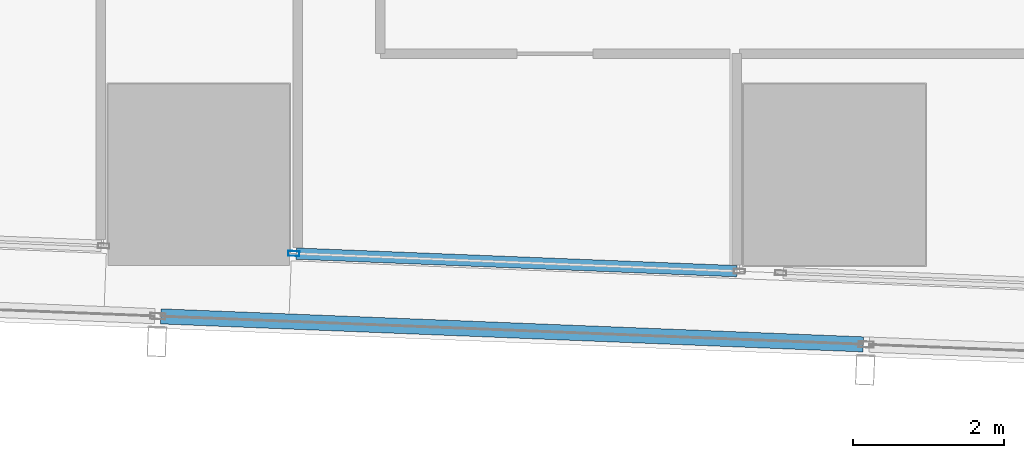
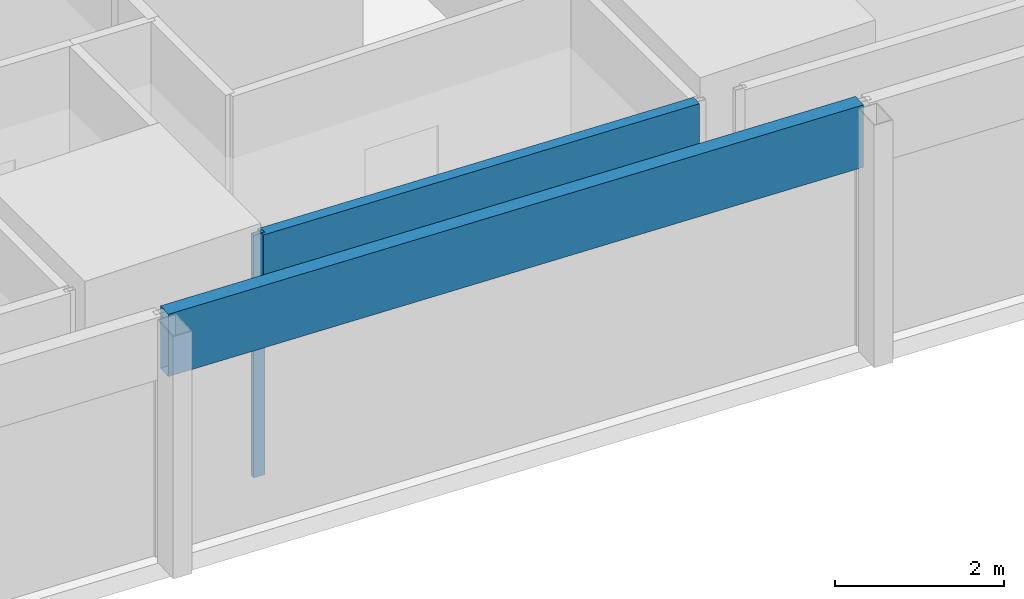
# One storey, part 3 of 37: 3 members, 2 elements without a shape of their own.
"""IFC4 building model written with IfcOpenShell, lengths in metres."""

import ifcopenshell
import ifcopenshell.guid

model = None  # the IFC model being written
_history = None  # IfcOwnerHistory: only IFC2X3 demands one
_inside = {}  # id of a spatial element -> (the spatial element, [elements in it])
_under = {}  # id of a project, library or spatial element -> (it, [spatial elements below it])
_declared = {}  # id of a project -> (the project, [libraries it declares])
_typed = {}  # id of a type object -> (the type object, [elements of that type])
_made_of = {}  # id of a material, layer set ... -> (it, [elements and type objects made of it])


def new_model(schema):
    """Start an empty IFC model of exactly this schema.

    Asked for "IFC4X3", IfcOpenShell would pick the latest addendum, in which some entities
    have other attributes; the version numbers below select the first issue.
    IFC2X3 requires an IfcOwnerHistory on every rooted entity: one is made here for all.
    """
    global model, _history
    if schema == "IFC4X3":
        model = ifcopenshell.file(schema_version=(4, 3, 0, 0))
    else:
        model = ifcopenshell.file(schema=schema)
    _inside.clear()
    _under.clear()
    _declared.clear()
    _typed.clear()
    _made_of.clear()
    _history = None
    if model.schema == "IFC2X3":
        org = make("IfcOrganization", Name="unknown")
        user = make(
            "IfcPersonAndOrganization",
            ThePerson=make("IfcPerson", FamilyName="unknown"),
            TheOrganization=org,
        )
        app = make(
            "IfcApplication",
            ApplicationDeveloper=org,
            Version="unknown",
            ApplicationFullName="unknown",
            ApplicationIdentifier="unknown",
        )
        _history = make(
            "IfcOwnerHistory",
            OwningUser=user,
            OwningApplication=app,
            ChangeAction="ADDED",
            CreationDate=0,
        )
    return model


def make(cls, **values):
    """One entity of the class cls with the attributes given. An attribute that is None is left unset."""
    return model.create_entity(
        cls, **{name: value for name, value in values.items() if value is not None}
    )


def rooted(cls, **values):
    """An entity with a GlobalId (a new one), such as an element, a storey or a relation."""
    return make(cls, GlobalId=ifcopenshell.guid.new(), OwnerHistory=_history, **values)


def si_unit(unit_type, name, prefix=None):
    """IfcSIUnit, for example si_unit("LENGTHUNIT", "METRE", prefix="MILLI")."""
    return make("IfcSIUnit", UnitType=unit_type, Prefix=prefix, Name=name)


def assignment(units):
    """IfcUnitAssignment: the units of a project."""
    return None if units is None else make("IfcUnitAssignment", Units=units)


def point(xyz):
    """IfcCartesianPoint."""
    return None if xyz is None else make("IfcCartesianPoint", Coordinates=xyz)


def direction(xyz):
    """IfcDirection."""
    return None if xyz is None else make("IfcDirection", DirectionRatios=xyz)


def frame(location, z_axis=None, x_axis=None):
    """IfcAxis2Placement3D, a coordinate frame: its origin and axes. An axis left out is left unset."""
    return make(
        "IfcAxis2Placement3D",
        Location=point(location),
        Axis=direction(z_axis),
        RefDirection=direction(x_axis),
    )


def frame_2d(location, x_axis=None):
    """IfcAxis2Placement2D, a coordinate frame in the plane: its origin and x axis."""
    return make(
        "IfcAxis2Placement2D", Location=point(location), RefDirection=direction(x_axis)
    )


def origin():
    """The frame at (0, 0, 0) with its axes left unset."""
    return frame((0.0, 0.0, 0.0))


def origin_2d():
    """The frame at (0, 0) in the plane with its x axis left unset."""
    return frame_2d((0.0, 0.0))


def place(relative_to, where):
    """IfcLocalPlacement: puts the frame where relative to a parent placement (None: the world)."""
    return make(
        "IfcLocalPlacement", PlacementRelTo=relative_to, RelativePlacement=where
    )


def context(
    kind, dimensions, precision=None, world=None, true_north=None, identifier=None
):
    """IfcGeometricRepresentationContext, for example the 3D "Model" context."""
    return make(
        "IfcGeometricRepresentationContext",
        ContextIdentifier=identifier,
        ContextType=kind,
        CoordinateSpaceDimension=dimensions,
        Precision=precision,
        WorldCoordinateSystem=world,
        TrueNorth=true_north,
    )


def subcontext(parent, identifier, kind, view, scale=None):
    """IfcGeometricRepresentationSubContext, for example "Body" below "Model"."""
    return make(
        "IfcGeometricRepresentationSubContext",
        ContextIdentifier=identifier,
        ContextType=kind,
        ParentContext=parent,
        TargetScale=scale,
        TargetView=view,
    )


def project(units=None, contexts=None):
    """IfcProject with its units and contexts."""
    return rooted(
        "IfcProject",
        Name="project",
        RepresentationContexts=contexts,
        UnitsInContext=assignment(units),
    )


def spatial(cls, under=None, at=None, **own):
    """A site, building, storey or space (cls), placed at a placement, below another one or the project."""
    s = rooted(cls, ObjectPlacement=at, **own)
    if under is not None:
        _under.setdefault(under.id(), (under, []))[1].append(s)
    return s


def profile(cls, at=None, kind="AREA", **sizes):
    """A parametric profile (cls). Its sizes go by their IFC names, for example OverallWidth=200.0."""
    return make(cls, ProfileType=kind, Position=at, **sizes)


def hollow_rectangle(**sizes):
    """IfcRectangleHollowProfileDef."""
    return profile("IfcRectangleHollowProfileDef", **sizes)


def extrude(swept, where, along, depth):
    """IfcExtrudedAreaSolid: the profile swept, set in the frame where, extruded along a direction by depth."""
    return make(
        "IfcExtrudedAreaSolid",
        SweptArea=swept,
        Position=where,
        ExtrudedDirection=direction(along),
        Depth=depth,
    )


def shape(context_of_items, identifier, shape_type, items):
    """IfcShapeRepresentation: the items that make up one representation, for example the "Body"."""
    return make(
        "IfcShapeRepresentation",
        ContextOfItems=context_of_items,
        RepresentationIdentifier=identifier,
        RepresentationType=shape_type,
        Items=items,
    )


def material(Name=None, Category=None):
    """IfcMaterial."""
    return make("IfcMaterial", Name=Name, Category=Category)


def material_profile(
    of_material, cross_section, Name=None, Category=None, Priority=None
):
    """IfcMaterialProfile: a cross section and its material."""
    return make(
        "IfcMaterialProfile",
        Name=Name,
        Material=of_material,
        Profile=cross_section,
        Priority=Priority,
        Category=Category,
    )


def profile_set(profiles, Name=None, composite=None):
    """IfcMaterialProfileSet."""
    return make(
        "IfcMaterialProfileSet",
        Name=Name,
        MaterialProfiles=profiles,
        CompositeProfile=composite,
    )


def made_of(thing, what):
    """Note that an element or type object is made of a material, layer set ...; save() writes the relation."""
    if what is not None:
        _made_of.setdefault(what.id(), (what, []))[1].append(thing)
    return thing


def type_object(cls, material=None, **own):
    """A type object (cls), such as IfcWallType, which elements share."""
    return made_of(rooted(cls, **own), material)


def element(
    cls,
    number,
    at=None,
    inside=None,
    cuts=None,
    type_object=None,
    material=None,
    context=None,
    identifier="Body",
    shape_type=None,
    held_by="IfcProductDefinitionShape",
    body=None,
    shapes=None,
    **own,
):
    """One element of the class cls, such as IfcWall. Its Tag is "e" and its number.

    at: its placement. inside: the storey or other place that contains it. cuts: it is an
    opening in that element (IfcRelVoidsElement). A single representation is given by context,
    identifier, shape_type and body (its items); several are given by shapes. held_by: the class
    of the entity that holds the representations. save() writes the other relations.
    """
    e = rooted(cls, Tag="e%d" % number, ObjectPlacement=at, **own)
    if body is not None:
        shapes = [shape(context, identifier, shape_type, body)]
    if shapes is not None:
        e.Representation = make(held_by, Representations=shapes)
    if inside is not None:
        _inside.setdefault(inside.id(), (inside, []))[1].append(e)
    if cuts is not None:
        rooted(
            "IfcRelVoidsElement", RelatingBuildingElement=cuts, RelatedOpeningElement=e
        )
    if type_object is not None:
        _typed.setdefault(type_object.id(), (type_object, []))[1].append(e)
    return made_of(e, material)


def aggregate(whole, parts):
    """IfcRelAggregates: a whole, such as a stair, and the parts it consists of."""
    return rooted("IfcRelAggregates", RelatingObject=whole, RelatedObjects=parts)


def save(model, path):
    """Write the relations noted so far, then the file.

    IfcRelAggregates (storeys below a building ...), IfcRelContainedInSpatialStructure (elements
    in a storey), IfcRelDefinesByType, IfcRelAssociatesMaterial and IfcRelDeclares: one each for
    every whole, place, type object, material and project.
    """
    for whole, parts in _under.values():
        aggregate(whole, parts)
    for where, things in _inside.values():
        rooted(
            "IfcRelContainedInSpatialStructure",
            RelatedElements=things,
            RelatingStructure=where,
        )
    for kind, things in _typed.values():
        rooted("IfcRelDefinesByType", RelatedObjects=things, RelatingType=kind)
    for what, things in _made_of.values():
        rooted("IfcRelAssociatesMaterial", RelatedObjects=things, RelatingMaterial=what)
    for by, libraries in _declared.values():
        rooted("IfcRelDeclares", RelatingContext=by, RelatedDefinitions=libraries)
    model.write(path)


model = new_model("IFC4")

# Units and contexts
model_context = context("Model", 3, precision=1e-05, world=origin(), true_north=direction((0.0, 1.0)))
body_context = subcontext(model_context, "Body", "Model", "MODEL_VIEW")
ifc_project = project(units=[si_unit("LENGTHUNIT", "METRE"), si_unit("AREAUNIT", "SQUARE_METRE"), si_unit("VOLUMEUNIT", "CUBIC_METRE"), si_unit("PLANEANGLEUNIT", "RADIAN"), si_unit("MASSUNIT", "GRAM", prefix="KILO")], contexts=[model_context])

# Site, building, storey
site_placement = place(None, origin())
site = spatial("IfcSite", under=ifc_project, at=site_placement, CompositionType="ELEMENT")
building_placement = place(site_placement, origin())
building = spatial("IfcBuilding", under=site, at=building_placement, Name="Rekha Terrace Tower", CompositionType="ELEMENT")
storey_placement = place(building_placement, frame((0.0, 0.0, 228.949951171875)))
storey = spatial("IfcBuildingStorey", under=building, at=storey_placement, Name="L58", CompositionType="ELEMENT", Elevation=228.949951171875)

# Curtain wall, members
ifc_material_1 = material(Name="Aluminium framing", Category="aluminium")
curtain_wall_type_1 = type_object("IfcCurtainWallType", Name="CW1 double skin inner glazing", PredefinedType="USERDEFINED", material=ifc_material_1)
curtain_wall_1_placement = place(storey_placement, origin())
curtain_wall_1 = element("IfcCurtainWall", 1, at=curtain_wall_1_placement, inside=storey, type_object=curtain_wall_type_1, Name="CW1 double skin inner glazing", ObjectType="DOUBLE SKIN INNER GLAZING", PredefinedType="USERDEFINED")
ifc_material_2 = material(Name="Aluminium mullion section", Category="aluminium")
ifc_material_profile_1 = material_profile(ifc_material_2, hollow_rectangle(XDim=0.06494140625, YDim=0.14990234375, WallThickness=0.00390625, at=origin_2d()), Name="AL RHS 65x150")
ifc_profile_set_1 = profile_set([ifc_material_profile_1], Name="Aluminium mullion section")
member_type_1 = type_object("IfcMemberType", Name="CW1 mullion RHS 65 x 150", PredefinedType="MULLION", material=ifc_profile_set_1)
member_1_placement = place(storey_placement, frame((18.05615234375, 15.759765625, 0.0), z_axis=(0.0, 0.0, 1.0), x_axis=(0.039872497078, 0.999204775798, 0.0)))
member_1 = element("IfcMember", 2, at=member_1_placement, type_object=member_type_1, Name="CW1 mullion 1", PredefinedType="MULLION", context=body_context, shape_type="SweptSolid", body=[
    extrude(hollow_rectangle(XDim=0.06494140625, YDim=0.14990234375, WallThickness=0.00390625, at=origin_2d()), origin(), (0.0, 0.0, 1.0), 3.5),
])
ifc_material_3 = material(Name="Insulated aluminium spandrel box", Category="aluminium")
ifc_material_profile_2 = material_profile(ifc_material_3, hollow_rectangle(XDim=0.14990234375, YDim=0.89990234375, WallThickness=0.0029296875, at=origin_2d()), Name="AL SPANDREL BOX 150x900")
ifc_profile_set_2 = profile_set([ifc_material_profile_2], Name="Insulated aluminium spandrel box")
member_type_2 = type_object("IfcMemberType", Name="CW1 spandrel transom 150 x 900", PredefinedType="USERDEFINED", material=ifc_profile_set_2)
member_2_placement = place(storey_placement, frame((18.088623046875, 15.75830078125, 3.050048828125), z_axis=(0.999205970263, -0.039842552525, 0.0), x_axis=(0.039842552525, 0.999205970263, 0.0)))
member_2 = element("IfcMember", 3, at=member_2_placement, type_object=member_type_2, Name="CW1 spandrel transom 1", ObjectType="TRANSOM", PredefinedType="USERDEFINED", context=body_context, shape_type="SweptSolid", body=[
    extrude(hollow_rectangle(XDim=0.14990234375, YDim=0.89990234375, WallThickness=0.0029296875, at=origin_2d()), origin(), (0.0, 0.0, 1.0), 5.827392578125),
])
aggregate(curtain_wall_1, [member_1, member_2])

# Curtain wall, member
curtain_wall_type_2 = type_object("IfcCurtainWallType", Name="CW2 double skin outer glazing", PredefinedType="USERDEFINED", material=ifc_material_1)
curtain_wall_2_placement = place(storey_placement, origin())
curtain_wall_2 = element("IfcCurtainWall", 4, at=curtain_wall_2_placement, inside=storey, type_object=curtain_wall_type_2, Name="CW2 double skin outer glazing", ObjectType="DOUBLE SKIN OUTER GLAZING", PredefinedType="USERDEFINED")
ifc_material_profile_3 = material_profile(ifc_material_3, hollow_rectangle(XDim=0.199951171875, YDim=0.89990234375, WallThickness=0.0029296875, at=origin_2d()), Name="AL SPANDREL BOX 200x900")
ifc_profile_set_3 = profile_set([ifc_material_profile_3], Name="Insulated aluminium spandrel box")
member_type_3 = type_object("IfcMemberType", Name="CW2 spandrel transom 200 x 900", PredefinedType="USERDEFINED", material=ifc_profile_set_3)
member_3_placement = place(storey_placement, frame((16.2998046875, 14.928955078125, 3.050048828125), z_axis=(0.999205404308, -0.039856743486, 0.0), x_axis=(0.039856743486, 0.999205404308, 0.0)))
member_3 = element("IfcMember", 5, at=member_3_placement, type_object=member_type_3, Name="CW2 spandrel transom 2", ObjectType="TRANSOM", PredefinedType="USERDEFINED", context=body_context, shape_type="SweptSolid", body=[
    extrude(hollow_rectangle(XDim=0.199951171875, YDim=0.89990234375, WallThickness=0.0029296875, at=origin_2d()), origin(), (0.0, 0.0, 1.0), 9.2861328125),
])
aggregate(curtain_wall_2, [member_3])

save(model, "model.ifc")
